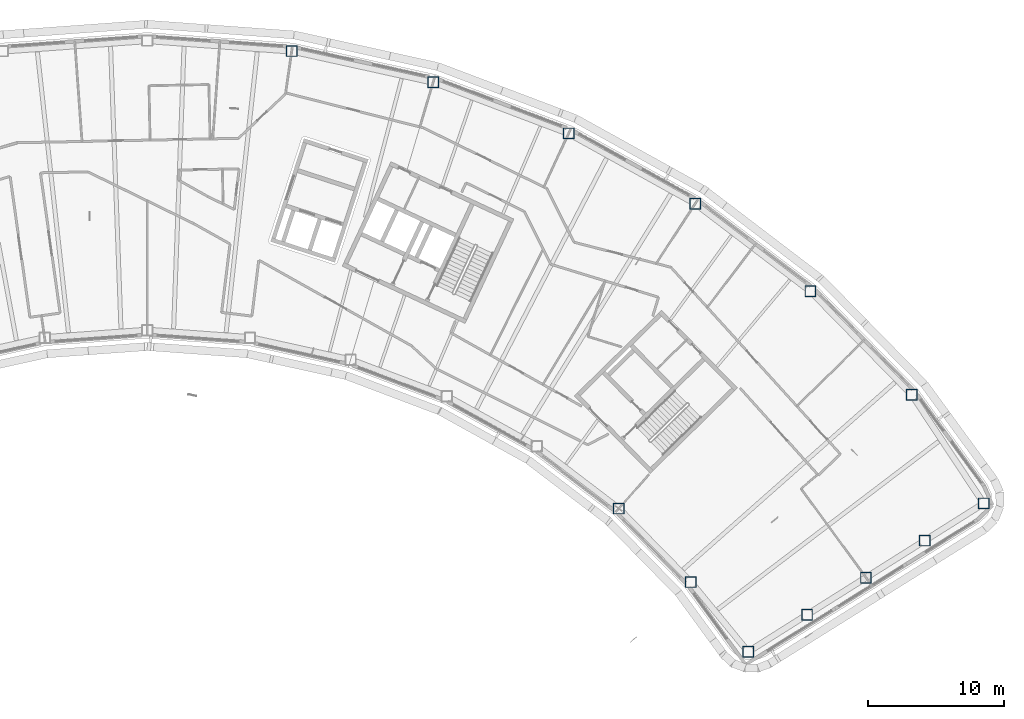
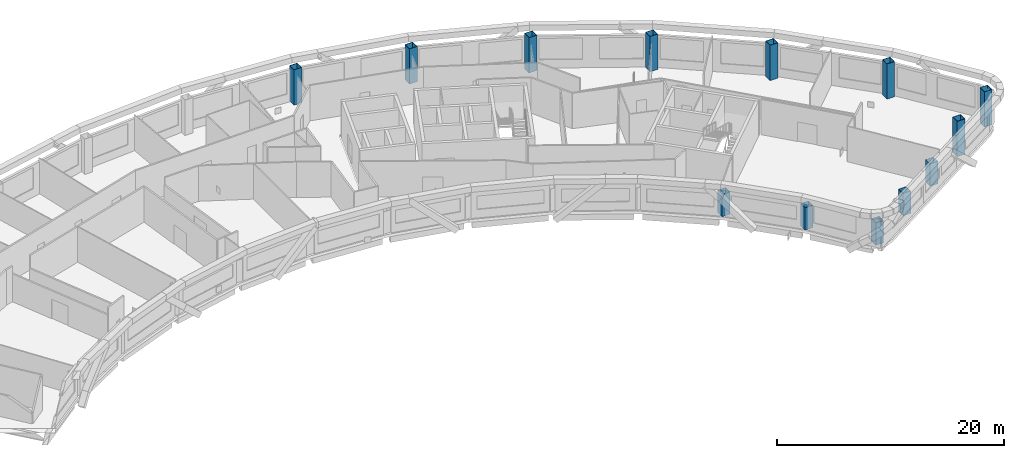
# One storey, part 2 of 21: 13 columns.
"""IFC4 building model written with IfcOpenShell, lengths in metres."""

from ifc_helpers import new_model, si_unit, direction, frame, origin, origin_2d, place, context, subcontext, project, spatial, hollow_rectangle, extrude, material, material_profile, profile_set, type_object, element, save


model = new_model("IFC4")

# Units and contexts
model_context = context("Model", 3, precision=1e-05, world=origin(), true_north=direction((0.0, 1.0)))
body_context = subcontext(model_context, "Body", "Model", "MODEL_VIEW")
ifc_project = project(units=[si_unit("LENGTHUNIT", "METRE"), si_unit("AREAUNIT", "SQUARE_METRE"), si_unit("VOLUMEUNIT", "CUBIC_METRE"), si_unit("PLANEANGLEUNIT", "RADIAN"), si_unit("MASSUNIT", "GRAM", prefix="KILO")], contexts=[model_context])

# Site, building, storey
site_placement = place(None, origin())
site = spatial("IfcSite", under=ifc_project, at=site_placement, CompositionType="ELEMENT")
building_placement = place(site_placement, origin())
building = spatial("IfcBuilding", under=site, at=building_placement, Name="Tuul Gate Civic Tower", CompositionType="ELEMENT")
storey_placement = place(building_placement, frame((0.0, 0.0, 273.60009765625)))
storey = spatial("IfcBuildingStorey", under=building, at=storey_placement, Name="Level 62", CompositionType="ELEMENT", Elevation=273.60009765625)

# Columns
ifc_material = material(Name="Steel S355", Category="steel")
ifc_material_profile = material_profile(ifc_material, hollow_rectangle(XDim=0.800048828125, YDim=0.800048828125, WallThickness=0.031982421875, at=origin_2d()), Name="BOX800x800x32")
ifc_profile_set = profile_set([ifc_material_profile], Name="Steel S355")
column_type = type_object("IfcColumnType", Name="STR-COLUMN-BOX800x800x32", PredefinedType="COLUMN", material=ifc_profile_set)
for number, where, z_axis, x_axis, name in (
    (1, (72.701904296875, -20.654052734375, 0.0), (0.0, 0.0, 1.0), (1.0, 0.0, 0.0), "Column"),
    (2, (67.403076171875, -12.64208984375, 0.0), (0.0, 0.0, 1.0), (1.0, 0.0, 0.0), "Column"),
    (3, (59.927978515625, -5.01708984375, 0.0), (0.0, 0.0, 1.0), (1.0, 0.0, 0.0), "Column"),
    (4, (51.43310546875, 1.451904296875, 0.0), (0.0, 0.0, 1.0), (1.0, 0.0, 0.0), "Column"),
    (5, (42.094970703125, 6.6279296875, 0.0), (0.0, 0.0, 1.0), (1.0, 0.0, 0.0), "Column"),
    (6, (32.10791015625, 10.405029296875, 0.0), (0.0, 0.0, 1.0), (1.0, 0.0, 0.0), "Column"),
    (7, (21.679931640625, 12.702880859375, 0.0), (0.0, 0.0, 1.0), (1.0, 0.0, 0.0), "Column"),
):
    element("IfcColumn", number, at=place(storey_placement, frame(where, z_axis=z_axis, x_axis=x_axis)), inside=storey, type_object=column_type, Name=name, PredefinedType="COLUMN", context=body_context, shape_type="SweptSolid", body=[
        extrude(hollow_rectangle(XDim=0.800048828125, YDim=0.800048828125, WallThickness=0.031982421875, at=origin_2d()), origin(), (0.0, 0.0, 1.0), 3.7998046875),
    ])
for number, where, z_axis, x_axis, name in (
    (8, (45.798095703125, -21.029052734375, 0.0), (0.0, 0.0, 1.0), (1.0, 0.0, 0.0), "Column"),
    (9, (51.112060546875, -26.449951171875, 0.0), (0.0, 0.0, 1.0), (1.0, 0.0, 0.0), "Column"),
    (10, (55.33203125, -31.592041015625, 0.0), (0.0, 0.0, 1.0), (1.0, 0.0, 0.0), "Column"),
    (11, (59.674072265625, -28.85791015625, 0.0), (0.0, 0.0, 1.0), (1.0, 0.0, 0.0), "Column"),
    (12, (64.01708984375, -26.123046875, 0.0), (0.0, 0.0, 1.0), (1.0, 0.0, 0.0), "Column"),
):
    element("IfcColumn", number, at=place(storey_placement, frame(where, z_axis=z_axis, x_axis=x_axis)), inside=storey, type_object=column_type, Name=name, PredefinedType="COLUMN", context=body_context, shape_type="SweptSolid", body=[
        extrude(hollow_rectangle(XDim=0.800048828125, YDim=0.800048828125, WallThickness=0.031982421875, at=origin_2d()), origin(), (0.0, 0.0, 1.0), 2.39990234375),
    ])
column_placement = place(storey_placement, frame((68.35888671875, -23.388916015625, 0.0), z_axis=(0.0, 0.0, 1.0), x_axis=(1.0, 0.0, 0.0)))
element("IfcColumn", 13, at=column_placement, inside=storey, type_object=column_type, Name="Column", PredefinedType="COLUMN", context=body_context, shape_type="SweptSolid", body=[
    extrude(hollow_rectangle(XDim=0.800048828125, YDim=0.800048828125, WallThickness=0.031982421875, at=origin_2d()), origin(), (0.0, 0.0, 1.0), 3.7998046875),
])

save(model, "model.ifc")
